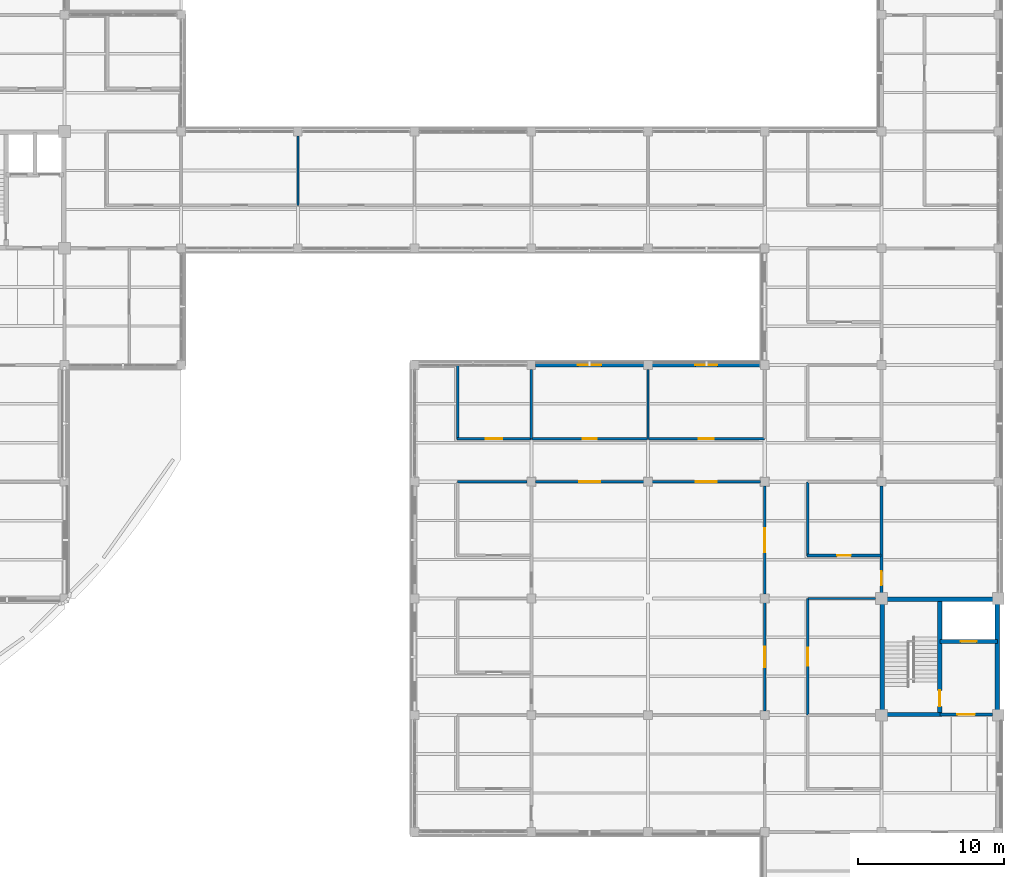
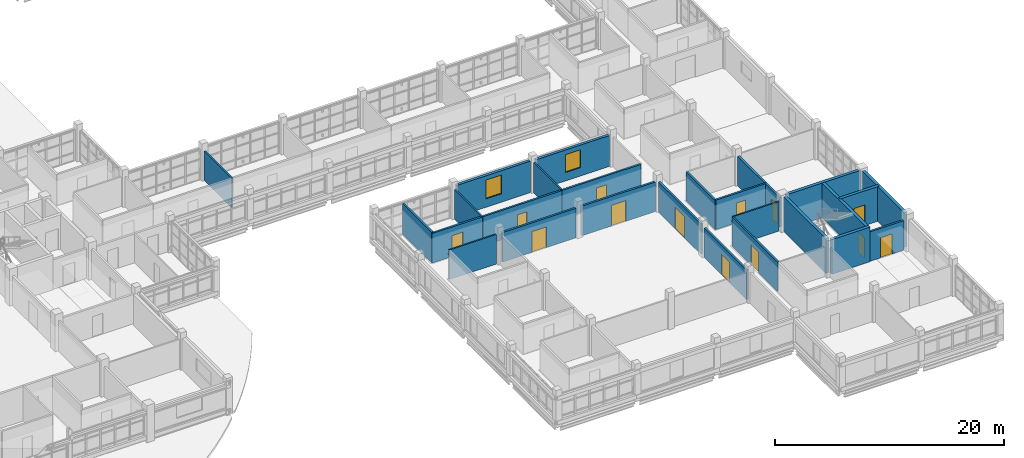
# One storey, part 100 of 126: 26 walls, 13 doors, 2 windows, 15 openings.
"""IFC4 building model written with IfcOpenShell, lengths in metres."""

from ifc_helpers import new_model, si_unit, derived_unit, direction, frame, frame_2d, origin, place, context, subcontext, project, spatial, rectangle, extrude, material, layer, layer_set, type_object, element, fill, save


model = new_model("IFC4")

# Units and contexts
model_context = context("Model", 3, precision=1e-05, world=origin(), true_north=direction((0.0, 1.0)))
body_context = subcontext(model_context, "Body", "Model", "MODEL_VIEW")
ifc_project = project(units=[si_unit("LENGTHUNIT", "METRE"), si_unit("AREAUNIT", "SQUARE_METRE"), si_unit("VOLUMEUNIT", "CUBIC_METRE"), si_unit("PLANEANGLEUNIT", "RADIAN"), si_unit("MASSUNIT", "GRAM", prefix="KILO"), derived_unit("THERMALTRANSMITTANCEUNIT", [(si_unit("MASSUNIT", "GRAM", prefix="KILO"), 1), (si_unit("TIMEUNIT", "SECOND"), -3), (si_unit("THERMODYNAMICTEMPERATUREUNIT", "KELVIN"), -1)])], contexts=[model_context])

# Site, building, storey
site_placement = place(None, origin())
site = spatial("IfcSite", under=ifc_project, at=site_placement, CompositionType="ELEMENT")
building_placement = place(site_placement, origin())
building = spatial("IfcBuilding", under=site, at=building_placement, Name="Veyamyaing Civic Hall", CompositionType="ELEMENT")
storey_placement = place(building_placement, frame((0.0, 0.0, 9.89990234375)))
storey = spatial("IfcBuildingStorey", under=building, at=storey_placement, Name="L02", CompositionType="ELEMENT", Elevation=9.89990234375)

# Walls
ifc_material_1 = material(Name="Concrete C40/50", Category="concrete")
ifc_layer_1 = layer(ifc_material_1, 0.300048828125, Name="Concrete C40/50")
ifc_layer_set_1 = layer_set([ifc_layer_1], Name="Concrete C40/50")
wall_type_1 = type_object("IfcWallType", Name="WT-05", PredefinedType="SHEAR", material=ifc_layer_set_1)
for number, where, z_axis, x_axis, name in (
    (1, (168.050048828125, 16.2900390625, 0.0), (0.0, 0.0, 1.0), (0.0, 1.0, 0.0), "Core shear wall WT-05 CORE-8 L02.W"),
    (2, (168.2900390625, 23.949951171875, 0.0), (0.0, 0.0, 1.0), (1.0, 0.0, 0.0), "Core shear wall WT-05 CORE-8 L02.N"),
    (3, (175.949951171875, 16.2900390625, 0.0), (0.0, 0.0, 1.0), (0.0, 1.0, 0.0), "Core shear wall WT-05 CORE-8 L02.E"),
):
    element("IfcWall", number, at=place(storey_placement, frame(where, z_axis=z_axis, x_axis=x_axis)), inside=storey, type_object=wall_type_1, Name=name, PredefinedType="SHEAR", context=body_context, shape_type="SweptSolid", body=[
        extrude(rectangle(XDim=7.419921875, YDim=0.300048828125, at=frame_2d((3.7099609375, 0.0))), origin(), (0.0, 0.0, 1.0), 3.705078125),
    ])
wall_1_placement = place(storey_placement, frame((168.2900390625, 16.050048828125, 0.0), z_axis=(0.0, 0.0, 1.0), x_axis=(1.0, 0.0, 0.0)))
element("IfcWall", 4, at=wall_1_placement, inside=storey, type_object=wall_type_1, Name="Core shear wall WT-05 CORE-8 L02.SS", PredefinedType="SHEAR", context=body_context, shape_type="SweptSolid", body=[
    extrude(rectangle(XDim=3.85986328125, YDim=0.300048828125, at=frame_2d((1.929931640625, 0.0))), origin(), (0.0, 0.0, 1.0), 3.705078125),
])

# Wall, opening, door
wall_2_placement = place(storey_placement, frame((172.0, 16.050048828125, 0.0), z_axis=(0.0, 0.0, 1.0), x_axis=(0.0, 1.0, 0.0)))
wall_2 = element("IfcWall", 5, at=wall_2_placement, inside=storey, type_object=wall_type_1, Name="Core shear wall WT-05 CORE-8 L02.MID", PredefinedType="SHEAR", context=body_context, shape_type="SweptSolid", body=[
    extrude(rectangle(XDim=7.89990234375, YDim=0.300048828125, at=frame_2d((3.949951171875, 0.0))), origin(), (0.0, 0.0, 1.0), 3.705078125),
])
opening_1_placement = place(wall_2_placement, frame((0.550048828125, 0.0, 0.0)))
opening_1 = element("IfcOpeningElement", 6, at=opening_1_placement, cuts=wall_2, Name="Opening D-03", PredefinedType="OPENING", context=body_context, shape_type="SweptSolid", body=[
    extrude(rectangle(XDim=1.10009765625, YDim=2.14990234375, at=frame_2d((0.550048828125, 1.074951171875))), frame((0.0, 0.159912109375, 0.0), z_axis=(0.0, -1.0, 0.0), x_axis=(1.0, 0.0, 0.0)), (0.0, 0.0, 1.0), 0.320068359375),
])
ifc_material_2 = material(Name="Galvanized steel S355J2", Category="steel")
door_type_1 = type_object("IfcDoorType", Name="D-03", OperationType="NOTDEFINED", PredefinedType="DOOR", material=ifc_material_2)
door_1_placement = place(opening_1_placement, origin())
door_1 = element("IfcDoor", 7, at=door_1_placement, inside=storey, type_object=door_type_1, Name="Exit stair fire door D-03 ST-10 L02", OperationType="SINGLE_SWING_LEFT", OverallHeight=2.14990234375, OverallWidth=1.10009765625, PredefinedType="DOOR", context=body_context, shape_type="SweptSolid", body=[
    extrude(rectangle(XDim=1.10009765625, YDim=2.14990234375, at=frame_2d((0.550048828125, 1.074951171875))), frame((0.0, 0.02490234375, 0.0), z_axis=(0.0, -1.0, 0.0), x_axis=(1.0, 0.0, 0.0)), (0.0, 0.0, 1.0), 0.050048828125),
])
fill(opening_1, door_1)

wall_3_placement = place(storey_placement, frame((172.0, 21.050048828125, 0.0), z_axis=(0.0, 0.0, 1.0), x_axis=(1.0, 0.0, 0.0)))
wall_3 = element("IfcWall", 8, at=wall_3_placement, inside=storey, type_object=wall_type_1, Name="Core shear wall WT-05 CORE-8 L02.LFT", PredefinedType="SHEAR", context=body_context, shape_type="SweptSolid", body=[
    extrude(rectangle(XDim=3.949951171875, YDim=0.300048828125, at=frame_2d((1.97509765625, 0.0))), origin(), (0.0, 0.0, 1.0), 3.705078125),
])
opening_2_placement = place(wall_3_placement, frame((1.425048828125, 0.0, 0.0)))
opening_2 = element("IfcOpeningElement", 9, at=opening_2_placement, cuts=wall_3, Name="Opening LD-01", PredefinedType="OPENING", context=body_context, shape_type="SweptSolid", body=[
    extrude(rectangle(XDim=1.10009765625, YDim=2.199951171875, at=frame_2d((0.550048828125, 1.10009765625))), frame((0.0, 0.159912109375, 0.0), z_axis=(0.0, -1.0, 0.0), x_axis=(1.0, 0.0, 0.0)), (0.0, 0.0, 1.0), 0.320068359375),
])
ifc_material_3 = material(Name="Anodised aluminium 6063-T6", Category="aluminium")
door_type_2 = type_object("IfcDoorType", Name="LD-01", OperationType="SLIDING_TO_LEFT", PredefinedType="DOOR", material=ifc_material_3)
door_2_placement = place(opening_2_placement, origin())
door_2 = element("IfcDoor", 10, at=door_2_placement, inside=storey, type_object=door_type_2, Name="Lift sliding landing door LD-01 PL-06 L02", OperationType="SLIDING_TO_LEFT", OverallHeight=2.199951171875, OverallWidth=1.10009765625, PredefinedType="DOOR", context=body_context, shape_type="SweptSolid", body=[
    extrude(rectangle(XDim=1.10009765625, YDim=2.199951171875, at=frame_2d((0.550048828125, 1.10009765625))), frame((0.0, 0.02490234375, 0.0), z_axis=(0.0, -1.0, 0.0), x_axis=(1.0, 0.0, 0.0)), (0.0, 0.0, 1.0), 0.050048828125),
])
fill(opening_2, door_2)

ifc_layer_2 = layer(ifc_material_1, 0.199951171875, Name="Concrete C40/50")
ifc_layer_set_2 = layer_set([ifc_layer_2], Name="Concrete C40/50")
wall_type_2 = type_object("IfcWallType", Name="WT-06", PredefinedType="PARTITIONING", material=ifc_layer_set_2)
wall_4_placement = place(storey_placement, frame((172.0, 16.050048828125, 0.0), z_axis=(0.0, 0.0, 1.0), x_axis=(1.0, 0.0, 0.0)))
wall_4 = element("IfcWall", 11, at=wall_4_placement, inside=storey, type_object=wall_type_2, Name="Firefighting lift lobby wall WT-06 CORE-8 L02", PredefinedType="PARTITIONING", context=body_context, shape_type="SweptSolid", body=[
    extrude(rectangle(XDim=3.610107421875, YDim=0.199951171875, at=frame_2d((1.80517578125, 0.0))), origin(), (0.0, 0.0, 1.0), 3.151123046875),
])
opening_3_placement = place(wall_4_placement, frame((1.205078125, 0.0, 0.0)))
opening_3 = element("IfcOpeningElement", 12, at=opening_3_placement, cuts=wall_4, Name="Opening D-04", PredefinedType="OPENING", context=body_context, shape_type="SweptSolid", body=[
    extrude(rectangle(XDim=1.199951171875, YDim=2.14990234375, at=frame_2d((0.60009765625, 1.074951171875))), frame((0.0, 0.10986328125, 0.0), z_axis=(0.0, -1.0, 0.0), x_axis=(1.0, 0.0, 0.0)), (0.0, 0.0, 1.0), 0.219970703125),
])
door_type_3 = type_object("IfcDoorType", Name="D-04", OperationType="NOTDEFINED", PredefinedType="DOOR", material=ifc_material_2)
door_3_placement = place(opening_3_placement, frame((1.199951171875, 0.0, 0.0), z_axis=(0.0, 0.0, 1.0), x_axis=(-1.0, 0.0, 0.0)))
door_3 = element("IfcDoor", 13, at=door_3_placement, inside=storey, type_object=door_type_3, Name="Protected lobby fire door D-04 CORE-8 L02", OperationType="SINGLE_SWING_RIGHT", OverallHeight=2.14990234375, OverallWidth=1.199951171875, PredefinedType="DOOR", context=body_context, shape_type="SweptSolid", body=[
    extrude(rectangle(XDim=1.199951171875, YDim=2.14990234375, at=frame_2d((0.60009765625, 1.074951171875))), frame((0.0, 0.02490234375, 0.0), z_axis=(0.0, -1.0, 0.0), x_axis=(1.0, 0.0, 0.0)), (0.0, 0.0, 1.0), 0.050048828125),
])
fill(opening_3, door_3)

wall_5_placement = place(storey_placement, frame((144.2900390625, 32.0, 0.0), z_axis=(0.0, 0.0, 1.0), x_axis=(1.0, 0.0, 0.0)))
wall_5 = element("IfcWall", 14, at=wall_5_placement, inside=storey, type_object=wall_type_2, Name="Interior partition wall WT-06 L02.50", PredefinedType="PARTITIONING", context=body_context, shape_type="SweptSolid", body=[
    extrude(rectangle(XDim=7.419921875, YDim=0.199951171875, at=frame_2d((3.7099609375, 0.0))), origin(), (0.0, 0.0, 1.0), 3.156005859375),
])
opening_4_placement = place(wall_5_placement, frame((2.985107421875, 0.0, 0.0)))
opening_4 = element("IfcOpeningElement", 15, at=opening_4_placement, cuts=wall_5, Name="Opening D-28", PredefinedType="OPENING", context=body_context, shape_type="SweptSolid", body=[
    extrude(rectangle(XDim=1.449951171875, YDim=2.219970703125, at=frame_2d((0.72509765625, 1.10986328125))), frame((0.0, 0.10986328125, 0.0), z_axis=(0.0, -1.0, 0.0), x_axis=(1.0, 0.0, 0.0)), (0.0, 0.0, 1.0), 0.219970703125),
])
ifc_material_4 = material(Name="Teak-veneered acoustic timber", Category="wood")
door_type_4 = type_object("IfcDoorType", Name="D-28", OperationType="DOUBLE_DOOR_SINGLE_SWING", PredefinedType="DOOR", material=ifc_material_4)
door_4_placement = place(opening_4_placement, frame((1.449951171875, 0.0, 0.0), z_axis=(0.0, 0.0, 1.0), x_axis=(-1.0, 0.0, 0.0)))
door_4 = element("IfcDoor", 16, at=door_4_placement, inside=storey, type_object=door_type_4, Name="Interior door D-28 L02.50", OperationType="DOUBLE_DOOR_SINGLE_SWING", OverallHeight=2.219970703125, OverallWidth=1.449951171875, PredefinedType="DOOR", context=body_context, shape_type="SweptSolid", body=[
    extrude(rectangle(XDim=1.449951171875, YDim=2.219970703125, at=frame_2d((0.72509765625, 1.10986328125))), frame((0.0, 0.02490234375, 0.0), z_axis=(0.0, -1.0, 0.0), x_axis=(1.0, 0.0, 0.0)), (0.0, 0.0, 1.0), 0.050048828125),
])
fill(opening_4, door_4)

wall_6_placement = place(storey_placement, frame((160.0, 16.2900390625, 0.0), z_axis=(0.0, 0.0, 1.0), x_axis=(0.0, 1.0, 0.0)))
wall_6 = element("IfcWall", 17, at=wall_6_placement, inside=storey, type_object=wall_type_2, Name="Interior partition wall WT-06 L02.54", PredefinedType="PARTITIONING", context=body_context, shape_type="SweptSolid", body=[
    extrude(rectangle(XDim=7.419921875, YDim=0.199951171875, at=frame_2d((3.7099609375, 0.0))), origin(), (0.0, 0.0, 1.0), 3.151123046875),
])
opening_5_placement = place(wall_6_placement, frame((3.010009765625, 0.0, 0.0)))
opening_5 = element("IfcOpeningElement", 18, at=opening_5_placement, cuts=wall_6, Name="Opening D-11", PredefinedType="OPENING", context=body_context, shape_type="SweptSolid", body=[
    extrude(rectangle(XDim=1.39990234375, YDim=2.199951171875, at=frame_2d((0.699951171875, 1.10009765625))), frame((0.0, 0.10986328125, 0.0), z_axis=(0.0, -1.0, 0.0), x_axis=(1.0, 0.0, 0.0)), (0.0, 0.0, 1.0), 0.219970703125),
])
door_type_5 = type_object("IfcDoorType", Name="D-11", OperationType="DOUBLE_DOOR_SINGLE_SWING", PredefinedType="DOOR", material=ifc_material_3)
door_5_placement = place(opening_5_placement, origin())
door_5 = element("IfcDoor", 19, at=door_5_placement, inside=storey, type_object=door_type_5, Name="Interior door D-11 L02.54", OperationType="DOUBLE_DOOR_SINGLE_SWING", OverallHeight=2.199951171875, OverallWidth=1.39990234375, PredefinedType="DOOR", context=body_context, shape_type="SweptSolid", body=[
    extrude(rectangle(XDim=1.39990234375, YDim=2.199951171875, at=frame_2d((0.699951171875, 1.10009765625))), frame((0.0, 0.02490234375, 0.0), z_axis=(0.0, -1.0, 0.0), x_axis=(1.0, 0.0, 0.0)), (0.0, 0.0, 1.0), 0.050048828125),
])
fill(opening_5, door_5)

wall_7_placement = place(storey_placement, frame((160.0, 24.2900390625, 0.0), z_axis=(0.0, 0.0, 1.0), x_axis=(0.0, 1.0, 0.0)))
wall_7 = element("IfcWall", 20, at=wall_7_placement, inside=storey, type_object=wall_type_2, Name="Interior partition wall WT-06 L02.55", PredefinedType="PARTITIONING", context=body_context, shape_type="SweptSolid", body=[
    extrude(rectangle(XDim=7.419921875, YDim=0.199951171875, at=frame_2d((3.7099609375, 0.0))), origin(), (0.0, 0.0, 1.0), 3.22119140625),
])
opening_6_placement = place(wall_7_placement, frame((2.885009765625, 0.0, 0.0)))
opening_6 = element("IfcOpeningElement", 21, at=opening_6_placement, cuts=wall_7, Name="Opening D-27", PredefinedType="OPENING", context=body_context, shape_type="SweptSolid", body=[
    extrude(rectangle(XDim=1.64990234375, YDim=2.280029296875, at=frame_2d((0.824951171875, 1.14013671875))), frame((0.0, 0.10986328125, 0.0), z_axis=(0.0, -1.0, 0.0), x_axis=(1.0, 0.0, 0.0)), (0.0, 0.0, 1.0), 0.219970703125),
])
door_type_6 = type_object("IfcDoorType", Name="D-27", OperationType="DOUBLE_DOOR_SINGLE_SWING", PredefinedType="DOOR", material=ifc_material_4)
door_6_placement = place(opening_6_placement, origin())
door_6 = element("IfcDoor", 22, at=door_6_placement, inside=storey, type_object=door_type_6, Name="Interior door D-27 L02.55", OperationType="DOUBLE_DOOR_SINGLE_SWING", OverallHeight=2.280029296875, OverallWidth=1.64990234375, PredefinedType="DOOR", context=body_context, shape_type="SweptSolid", body=[
    extrude(rectangle(XDim=1.64990234375, YDim=2.280029296875, at=frame_2d((0.824951171875, 1.14013671875))), frame((0.0, 0.02490234375, 0.0), z_axis=(0.0, -1.0, 0.0), x_axis=(1.0, 0.0, 0.0)), (0.0, 0.0, 1.0), 0.050048828125),
])
fill(opening_6, door_6)

wall_8_placement = place(storey_placement, frame((152.2900390625, 32.0, 0.0), z_axis=(0.0, 0.0, 1.0), x_axis=(1.0, 0.0, 0.0)))
wall_8 = element("IfcWall", 23, at=wall_8_placement, inside=storey, type_object=wall_type_2, Name="Interior partition wall WT-06 L02.56", PredefinedType="PARTITIONING", context=body_context, shape_type="SweptSolid", body=[
    extrude(rectangle(XDim=7.419921875, YDim=0.199951171875, at=frame_2d((3.7099609375, 0.0))), origin(), (0.0, 0.0, 1.0), 3.166015625),
])
opening_7_placement = place(wall_8_placement, frame((2.985107421875, 0.0, 0.0)))
opening_7 = element("IfcOpeningElement", 24, at=opening_7_placement, cuts=wall_8, Name="Opening D-28", PredefinedType="OPENING", context=body_context, shape_type="SweptSolid", body=[
    extrude(rectangle(XDim=1.449951171875, YDim=2.219970703125, at=frame_2d((0.72509765625, 1.10986328125))), frame((0.0, 0.10986328125, 0.0), z_axis=(0.0, -1.0, 0.0), x_axis=(1.0, 0.0, 0.0)), (0.0, 0.0, 1.0), 0.219970703125),
])
door_7_placement = place(opening_7_placement, frame((1.449951171875, 0.0, 0.0), z_axis=(0.0, 0.0, 1.0), x_axis=(-1.0, 0.0, 0.0)))
door_7 = element("IfcDoor", 25, at=door_7_placement, inside=storey, type_object=door_type_4, Name="Interior door D-28 L02.56", OperationType="DOUBLE_DOOR_SINGLE_SWING", OverallHeight=2.219970703125, OverallWidth=1.449951171875, PredefinedType="DOOR", context=body_context, shape_type="SweptSolid", body=[
    extrude(rectangle(XDim=1.449951171875, YDim=2.219970703125, at=frame_2d((0.72509765625, 1.10986328125))), frame((0.0, 0.02490234375, 0.0), z_axis=(0.0, -1.0, 0.0), x_axis=(1.0, 0.0, 0.0)), (0.0, 0.0, 1.0), 0.050048828125),
])
fill(opening_7, door_7)

wall_9_placement = place(storey_placement, frame((168.0, 24.389892578125, 0.0), z_axis=(0.0, 0.0, 1.0), x_axis=(0.0, 1.0, 0.0)))
wall_9 = element("IfcWall", 26, at=wall_9_placement, inside=storey, type_object=wall_type_2, Name="Interior partition wall WT-06 L02.61", PredefinedType="PARTITIONING", context=body_context, shape_type="SweptSolid", body=[
    extrude(rectangle(XDim=7.320068359375, YDim=0.199951171875, at=frame_2d((3.66015625, 0.0))), origin(), (0.0, 0.0, 1.0), 3.156982421875),
])
opening_8_placement = place(wall_9_placement, frame((0.52001953125, 0.0, 0.0)))
opening_8 = element("IfcOpeningElement", 27, at=opening_8_placement, cuts=wall_9, Name="Opening D-30", PredefinedType="OPENING", context=body_context, shape_type="SweptSolid", body=[
    extrude(rectangle(XDim=0.93994140625, YDim=2.1201171875, at=frame_2d((0.469970703125, 1.06005859375))), frame((0.0, 0.10986328125, 0.0), z_axis=(0.0, -1.0, 0.0), x_axis=(1.0, 0.0, 0.0)), (0.0, 0.0, 1.0), 0.219970703125),
])
door_type_7 = type_object("IfcDoorType", Name="D-30", OperationType="NOTDEFINED", PredefinedType="DOOR", material=ifc_material_4)
door_8_placement = place(opening_8_placement, frame((0.93994140625, 0.0, 0.0), z_axis=(0.0, 0.0, 1.0), x_axis=(-1.0, 0.0, 0.0)))
door_8 = element("IfcDoor", 28, at=door_8_placement, inside=storey, type_object=door_type_7, Name="Interior door D-30 L02.61", OperationType="SINGLE_SWING_RIGHT", OverallHeight=2.1201171875, OverallWidth=0.93994140625, PredefinedType="DOOR", context=body_context, shape_type="SweptSolid", body=[
    extrude(rectangle(XDim=0.93994140625, YDim=2.1201171875, at=frame_2d((0.469970703125, 1.06005859375))), frame((0.0, 0.02490234375, 0.0), z_axis=(0.0, -1.0, 0.0), x_axis=(1.0, 0.0, 0.0)), (0.0, 0.0, 1.0), 0.050048828125),
])
fill(opening_8, door_8)

ifc_material_5 = material(Name="Gypsum board on acoustic steel stud", Category="steel")
ifc_layer_3 = layer(ifc_material_5, 0.175048828125, Name="Gypsum board on acoustic steel stud")
ifc_layer_set_3 = layer_set([ifc_layer_3], Name="Gypsum board on acoustic steel stud")
wall_type_3 = type_object("IfcWallType", Name="WT-07", PredefinedType="PARTITIONING", material=ifc_layer_set_3)
wall_10_placement = place(storey_placement, frame((162.949951171875, 16.02001953125, 0.0), z_axis=(0.0, 0.0, 1.0), x_axis=(0.0, 1.0, 0.0)))
wall_10 = element("IfcWall", 29, at=wall_10_placement, inside=storey, type_object=wall_type_3, Name="Corridor gallery partition WT-07 L02.65.1", PredefinedType="PARTITIONING", context=body_context, shape_type="SweptSolid", body=[
    extrude(rectangle(XDim=7.9599609375, YDim=0.175048828125, at=frame_2d((3.97998046875, 0.0))), origin(), (0.0, 0.0, 1.0), 3.14111328125),
])
opening_9_placement = place(wall_10_placement, frame((3.35498046875, 0.0, 0.0)))
opening_9 = element("IfcOpeningElement", 30, at=opening_9_placement, cuts=wall_10, Name="Opening D-29", PredefinedType="OPENING", context=body_context, shape_type="SweptSolid", body=[
    extrude(rectangle(XDim=1.25, YDim=2.179931640625, at=frame_2d((0.625, 1.08984375))), frame((0.0, 0.097412109375, 0.0), z_axis=(0.0, -1.0, 0.0), x_axis=(1.0, 0.0, 0.0)), (0.0, 0.0, 1.0), 0.195068359375),
])
door_type_8 = type_object("IfcDoorType", Name="D-29", OperationType="NOTDEFINED", PredefinedType="DOOR", material=ifc_material_4)
door_9_placement = place(opening_9_placement, frame((1.25, 0.0, 0.0), z_axis=(0.0, 0.0, 1.0), x_axis=(-1.0, 0.0, 0.0)))
door_9 = element("IfcDoor", 31, at=door_9_placement, inside=storey, type_object=door_type_8, Name="Gallery office door D-29 L02.65", OperationType="SINGLE_SWING_LEFT", OverallHeight=2.179931640625, OverallWidth=1.25, PredefinedType="DOOR", context=body_context, shape_type="SweptSolid", body=[
    extrude(rectangle(XDim=1.25, YDim=2.179931640625, at=frame_2d((0.625, 1.08984375))), frame((0.0, 0.02490234375, 0.0), z_axis=(0.0, -1.0, 0.0), x_axis=(1.0, 0.0, 0.0)), (0.0, 0.0, 1.0), 0.050048828125),
])
fill(opening_9, door_9)

# Walls
ifc_material_6 = material(Name="Gypsum board on steel stud", Category="steel")
ifc_layer_4 = layer(ifc_material_6, 0.14990234375, Name="Gypsum board on steel stud")
ifc_layer_set_4 = layer_set([ifc_layer_4], Name="Gypsum board on steel stud")
wall_type_4 = type_object("IfcWallType", Name="WT-08", PredefinedType="PARTITIONING", material=ifc_layer_set_4)
wall_11_placement = place(storey_placement, frame((128.0, 50.949951171875, 0.0), z_axis=(0.0, 0.0, 1.0), x_axis=(0.0, 1.0, 0.0)))
element("IfcWall", 32, at=wall_11_placement, inside=storey, type_object=wall_type_4, Name="Gallery office end partition WT-08 L02.47.2", PredefinedType="PARTITIONING", context=body_context, shape_type="SweptSolid", body=[
    extrude(rectangle(XDim=4.739990234375, YDim=0.14990234375, at=frame_2d((2.3701171875, 0.0))), origin(), (0.0, 0.0, 1.0), 3.151123046875),
])
wall_12_placement = place(storey_placement, frame((138.949951171875, 32.0, 0.0), z_axis=(0.0, 0.0, 1.0), x_axis=(1.0, 0.0, 0.0)))
element("IfcWall", 33, at=wall_12_placement, inside=storey, type_object=wall_type_4, Name="Gallery office end partition WT-08 L02.53.1", PredefinedType="PARTITIONING", context=body_context, shape_type="SweptSolid", body=[
    extrude(rectangle(XDim=4.739990234375, YDim=0.14990234375, at=frame_2d((2.3701171875, 0.0))), origin(), (0.0, 0.0, 1.0), 3.156982421875),
])
wall_13_placement = place(storey_placement, frame((144.0, 34.949951171875, 0.0), z_axis=(0.0, 0.0, 1.0), x_axis=(0.0, 1.0, 0.0)))
element("IfcWall", 34, at=wall_13_placement, inside=storey, type_object=wall_type_4, Name="Gallery office end partition WT-08 L02.54.2", PredefinedType="PARTITIONING", context=body_context, shape_type="SweptSolid", body=[
    extrude(rectangle(XDim=4.739990234375, YDim=0.14990234375, at=frame_2d((2.3701171875, 0.0))), origin(), (0.0, 0.0, 1.0), 3.151123046875),
])
wall_14_placement = place(storey_placement, frame((152.0, 34.949951171875, 0.0), z_axis=(0.0, 0.0, 1.0), x_axis=(0.0, 1.0, 0.0)))
element("IfcWall", 35, at=wall_14_placement, inside=storey, type_object=wall_type_4, Name="Gallery office end partition WT-08 L02.56.2", PredefinedType="PARTITIONING", context=body_context, shape_type="SweptSolid", body=[
    extrude(rectangle(XDim=4.739990234375, YDim=0.14990234375, at=frame_2d((2.3701171875, 0.0))), origin(), (0.0, 0.0, 1.0), 3.236083984375),
])
wall_15_placement = place(storey_placement, frame((162.949951171875, 24.0, 0.0), z_axis=(0.0, 0.0, 1.0), x_axis=(1.0, 0.0, 0.0)))
element("IfcWall", 36, at=wall_15_placement, inside=storey, type_object=wall_type_4, Name="Gallery office end partition WT-08 L02.65.2", PredefinedType="PARTITIONING", context=body_context, shape_type="SweptSolid", body=[
    extrude(rectangle(XDim=4.64013671875, YDim=0.14990234375, at=frame_2d((2.320068359375, 0.0))), origin(), (0.0, 0.0, 1.0), 3.151123046875),
])

# Wall, opening, window
ifc_material_7 = material(Name="Precast concrete C40/50", Category="concrete")
ifc_layer_5 = layer(ifc_material_7, 0.27001953125, Name="Precast concrete C40/50")
ifc_layer_set_5 = layer_set([ifc_layer_5], Name="Precast concrete C40/50")
wall_type_5 = type_object("IfcWallType", Name="WT-18", PredefinedType="SOLIDWALL", material=ifc_layer_set_5)
wall_16_placement = place(storey_placement, frame((144.284912109375, 40.0, 0.0), z_axis=(0.0, 0.0, 1.0), x_axis=(1.0, 0.0, 0.0)))
wall_16 = element("IfcWall", 37, at=wall_16_placement, inside=storey, type_object=wall_type_5, Name="Exterior facade wall WT-18 L02 N 19.5", PredefinedType="SOLIDWALL", context=body_context, shape_type="SweptSolid", body=[
    extrude(rectangle(XDim=7.43017578125, YDim=0.27001953125, at=frame_2d((3.715087890625, 0.0))), origin(), (0.0, 0.0, 1.0), 3.359130859375),
])
opening_10_placement = place(wall_16_placement, frame((2.9150390625, 0.0, 0.89990234375)))
opening_10 = element("IfcOpeningElement", 38, at=opening_10_placement, cuts=wall_16, Name="Opening W-11", PredefinedType="OPENING", context=body_context, shape_type="SweptSolid", body=[
    extrude(rectangle(XDim=1.60009765625, YDim=2.0, at=frame_2d((0.800048828125, 1.0))), frame((0.0, 0.14501953125, 0.0), z_axis=(0.0, -1.0, 0.0), x_axis=(1.0, 0.0, 0.0)), (0.0, 0.0, 1.0), 0.2900390625),
])
ifc_material_8 = material(Name="Low-E insulated glass", Category="glass")
window_type_1 = type_object("IfcWindowType", Name="W-11", PartitioningType="SINGLE_PANEL", PredefinedType="WINDOW", material=ifc_material_8)
window_1_placement = place(opening_10_placement, origin())
window_1 = element("IfcWindow", 39, at=window_1_placement, inside=storey, type_object=window_type_1, Name="Facade window W-11 L02 N 19.5", OverallHeight=2.0, OverallWidth=1.60009765625, PartitioningType="SINGLE_PANEL", PredefinedType="WINDOW", context=body_context, shape_type="SweptSolid", body=[
    extrude(rectangle(XDim=1.60009765625, YDim=2.0, at=frame_2d((0.800048828125, 1.0))), frame((0.0, 0.030029296875, 0.0), z_axis=(0.0, -1.0, 0.0), x_axis=(1.0, 0.0, 0.0)), (0.0, 0.0, 1.0), 0.06005859375),
])
fill(opening_10, window_1)

wall_17_placement = place(storey_placement, frame((152.284912109375, 40.0, 0.0), z_axis=(0.0, 0.0, 1.0), x_axis=(1.0, 0.0, 0.0)))
wall_17 = element("IfcWall", 40, at=wall_17_placement, inside=storey, type_object=wall_type_5, Name="Exterior facade wall WT-18 L02 N 20.5", PredefinedType="SOLIDWALL", context=body_context, shape_type="SweptSolid", body=[
    extrude(rectangle(XDim=7.43017578125, YDim=0.27001953125, at=frame_2d((3.715087890625, 0.0))), origin(), (0.0, 0.0, 1.0), 3.299072265625),
])
opening_11_placement = place(wall_17_placement, frame((2.965087890625, 0.0, 0.89990234375)))
opening_11 = element("IfcOpeningElement", 41, at=opening_11_placement, cuts=wall_17, Name="Opening W-12", PredefinedType="OPENING", context=body_context, shape_type="SweptSolid", body=[
    extrude(rectangle(XDim=1.5, YDim=1.89990234375, at=frame_2d((0.75, 0.949951171875))), frame((0.0, 0.14501953125, 0.0), z_axis=(0.0, -1.0, 0.0), x_axis=(1.0, 0.0, 0.0)), (0.0, 0.0, 1.0), 0.2900390625),
])
window_type_2 = type_object("IfcWindowType", Name="W-12", PartitioningType="SINGLE_PANEL", PredefinedType="WINDOW", material=ifc_material_8)
window_2_placement = place(opening_11_placement, origin())
window_2 = element("IfcWindow", 42, at=window_2_placement, inside=storey, type_object=window_type_2, Name="Facade window W-12 L02 N 20.5", OverallHeight=1.89990234375, OverallWidth=1.5, PartitioningType="SINGLE_PANEL", PredefinedType="WINDOW", context=body_context, shape_type="SweptSolid", body=[
    extrude(rectangle(XDim=1.5, YDim=1.89990234375, at=frame_2d((0.75, 0.949951171875))), frame((0.0, 0.030029296875, 0.0), z_axis=(0.0, -1.0, 0.0), x_axis=(1.0, 0.0, 0.0)), (0.0, 0.0, 1.0), 0.06005859375),
])
fill(opening_11, window_2)

# Wall, opening, door
ifc_material_9 = material(Name="Gypsum board on double acoustic stud")
ifc_layer_6 = layer(ifc_material_9, 0.18505859375, Name="Gypsum board on double acoustic stud")
ifc_layer_set_6 = layer_set([ifc_layer_6], Name="Gypsum board on double acoustic stud")
wall_type_6 = type_object("IfcWallType", Name="WT-19", PredefinedType="PARTITIONING", material=ifc_layer_set_6)
wall_18_placement = place(storey_placement, frame((138.89990234375, 34.949951171875, 0.0), z_axis=(0.0, 0.0, 1.0), x_axis=(1.0, 0.0, 0.0)))
wall_18 = element("IfcWall", 43, at=wall_18_placement, inside=storey, type_object=wall_type_6, Name="Corridor gallery partition WT-19 L02.54.1", PredefinedType="PARTITIONING", context=body_context, shape_type="SweptSolid", body=[
    extrude(rectangle(XDim=5.080078125, YDim=0.18505859375, at=frame_2d((2.5400390625, 0.0))), origin(), (0.0, 0.0, 1.0), 3.151123046875),
])
opening_12_placement = place(wall_18_placement, frame((1.97998046875, 0.0, 0.0)))
opening_12 = element("IfcOpeningElement", 44, at=opening_12_placement, cuts=wall_18, Name="Opening D-26", PredefinedType="OPENING", context=body_context, shape_type="SweptSolid", body=[
    extrude(rectangle(XDim=1.1201171875, YDim=2.219970703125, at=frame_2d((0.56005859375, 1.10986328125))), frame((0.0, 0.1025390625, 0.0), z_axis=(0.0, -1.0, 0.0), x_axis=(1.0, 0.0, 0.0)), (0.0, 0.0, 1.0), 0.205078125),
])
door_type_9 = type_object("IfcDoorType", Name="D-26", OperationType="NOTDEFINED", PredefinedType="DOOR", material=ifc_material_4)
door_10_placement = place(opening_12_placement, origin())
door_10 = element("IfcDoor", 45, at=door_10_placement, inside=storey, type_object=door_type_9, Name="Gallery office door D-26 L02.54", OperationType="SINGLE_SWING_RIGHT", OverallHeight=2.219970703125, OverallWidth=1.1201171875, PredefinedType="DOOR", context=body_context, shape_type="SweptSolid", body=[
    extrude(rectangle(XDim=1.1201171875, YDim=2.219970703125, at=frame_2d((0.56005859375, 1.10986328125))), frame((0.0, 0.02490234375, 0.0), z_axis=(0.0, -1.0, 0.0), x_axis=(1.0, 0.0, 0.0)), (0.0, 0.0, 1.0), 0.050048828125),
])
fill(opening_12, door_10)

# Wall
wall_19_placement = place(storey_placement, frame((138.949951171875, 34.89990234375, 0.0), z_axis=(0.0, 0.0, 1.0), x_axis=(0.0, 1.0, 0.0)))
element("IfcWall", 46, at=wall_19_placement, inside=storey, type_object=wall_type_6, Name="Corridor gallery partition WT-19 L02.54.2", PredefinedType="PARTITIONING", context=body_context, shape_type="SweptSolid", body=[
    extrude(rectangle(XDim=5.080078125, YDim=0.18505859375, at=frame_2d((2.5400390625, 0.0))), origin(), (0.0, 0.0, 1.0), 3.273193359375),
])

# Wall, opening, door
wall_20_placement = place(storey_placement, frame((144.02001953125, 34.949951171875, 0.0), z_axis=(0.0, 0.0, 1.0), x_axis=(1.0, 0.0, 0.0)))
wall_20 = element("IfcWall", 47, at=wall_20_placement, inside=storey, type_object=wall_type_6, Name="Corridor gallery partition WT-19 L02.56.1", PredefinedType="PARTITIONING", context=body_context, shape_type="SweptSolid", body=[
    extrude(rectangle(XDim=7.9599609375, YDim=0.18505859375, at=frame_2d((3.97998046875, 0.0))), origin(), (0.0, 0.0, 1.0), 3.151123046875),
])
opening_13_placement = place(wall_20_placement, frame((3.510009765625, 0.0, 0.0)))
opening_13 = element("IfcOpeningElement", 48, at=opening_13_placement, cuts=wall_20, Name="Opening D-30", PredefinedType="OPENING", context=body_context, shape_type="SweptSolid", body=[
    extrude(rectangle(XDim=0.93994140625, YDim=2.1201171875, at=frame_2d((0.469970703125, 1.06005859375))), frame((0.0, 0.1025390625, 0.0), z_axis=(0.0, -1.0, 0.0), x_axis=(1.0, 0.0, 0.0)), (0.0, 0.0, 1.0), 0.205078125),
])
door_11_placement = place(opening_13_placement, origin())
door_11 = element("IfcDoor", 49, at=door_11_placement, inside=storey, type_object=door_type_7, Name="Gallery office door D-30 L02.56", OperationType="SINGLE_SWING_RIGHT", OverallHeight=2.1201171875, OverallWidth=0.93994140625, PredefinedType="DOOR", context=body_context, shape_type="SweptSolid", body=[
    extrude(rectangle(XDim=0.93994140625, YDim=2.1201171875, at=frame_2d((0.469970703125, 1.06005859375))), frame((0.0, 0.02490234375, 0.0), z_axis=(0.0, -1.0, 0.0), x_axis=(1.0, 0.0, 0.0)), (0.0, 0.0, 1.0), 0.050048828125),
])
fill(opening_13, door_11)

wall_21_placement = place(storey_placement, frame((152.02001953125, 34.949951171875, 0.0), z_axis=(0.0, 0.0, 1.0), x_axis=(1.0, 0.0, 0.0)))
wall_21 = element("IfcWall", 50, at=wall_21_placement, inside=storey, type_object=wall_type_6, Name="Corridor gallery partition WT-19 L02.60.1", PredefinedType="PARTITIONING", context=body_context, shape_type="SweptSolid", body=[
    extrude(rectangle(XDim=7.9599609375, YDim=0.18505859375, at=frame_2d((3.97998046875, 0.0))), origin(), (0.0, 0.0, 1.0), 3.156982421875),
])
opening_14_placement = place(wall_21_placement, frame((3.469970703125, 0.0, 0.0)))
opening_14 = element("IfcOpeningElement", 51, at=opening_14_placement, cuts=wall_21, Name="Opening D-19", PredefinedType="OPENING", context=body_context, shape_type="SweptSolid", body=[
    extrude(rectangle(XDim=1.02001953125, YDim=2.199951171875, at=frame_2d((0.510009765625, 1.10009765625))), frame((0.0, 0.1025390625, 0.0), z_axis=(0.0, -1.0, 0.0), x_axis=(1.0, 0.0, 0.0)), (0.0, 0.0, 1.0), 0.205078125),
])
door_type_10 = type_object("IfcDoorType", Name="D-19", OperationType="NOTDEFINED", PredefinedType="DOOR", material=ifc_material_4)
door_12_placement = place(opening_14_placement, origin())
door_12 = element("IfcDoor", 52, at=door_12_placement, inside=storey, type_object=door_type_10, Name="Gallery office door D-19 L02.60", OperationType="SINGLE_SWING_RIGHT", OverallHeight=2.199951171875, OverallWidth=1.02001953125, PredefinedType="DOOR", context=body_context, shape_type="SweptSolid", body=[
    extrude(rectangle(XDim=1.02001953125, YDim=2.199951171875, at=frame_2d((0.510009765625, 1.10009765625))), frame((0.0, 0.02490234375, 0.0), z_axis=(0.0, -1.0, 0.0), x_axis=(1.0, 0.0, 0.0)), (0.0, 0.0, 1.0), 0.050048828125),
])
fill(opening_14, door_12)

wall_22_placement = place(storey_placement, frame((162.89990234375, 26.949951171875, 0.0), z_axis=(0.0, 0.0, 1.0), x_axis=(1.0, 0.0, 0.0)))
wall_22 = element("IfcWall", 53, at=wall_22_placement, inside=storey, type_object=wall_type_6, Name="Corridor gallery partition WT-19 L02.66.1", PredefinedType="PARTITIONING", context=body_context, shape_type="SweptSolid", body=[
    extrude(rectangle(XDim=5.080078125, YDim=0.18505859375, at=frame_2d((2.5400390625, 0.0))), origin(), (0.0, 0.0, 1.0), 3.156982421875),
])
opening_15_placement = place(wall_22_placement, frame((2.070068359375, 0.0, 0.0)))
opening_15 = element("IfcOpeningElement", 54, at=opening_15_placement, cuts=wall_22, Name="Opening D-30", PredefinedType="OPENING", context=body_context, shape_type="SweptSolid", body=[
    extrude(rectangle(XDim=0.93994140625, YDim=2.1201171875, at=frame_2d((0.469970703125, 1.06005859375))), frame((0.0, 0.1025390625, 0.0), z_axis=(0.0, -1.0, 0.0), x_axis=(1.0, 0.0, 0.0)), (0.0, 0.0, 1.0), 0.205078125),
])
door_13_placement = place(opening_15_placement, origin())
door_13 = element("IfcDoor", 55, at=door_13_placement, inside=storey, type_object=door_type_7, Name="Gallery office door D-30 L02.66", OperationType="SINGLE_SWING_RIGHT", OverallHeight=2.1201171875, OverallWidth=0.93994140625, PredefinedType="DOOR", context=body_context, shape_type="SweptSolid", body=[
    extrude(rectangle(XDim=0.93994140625, YDim=2.1201171875, at=frame_2d((0.469970703125, 1.06005859375))), frame((0.0, 0.02490234375, 0.0), z_axis=(0.0, -1.0, 0.0), x_axis=(1.0, 0.0, 0.0)), (0.0, 0.0, 1.0), 0.050048828125),
])
fill(opening_15, door_13)

# Wall
wall_23_placement = place(storey_placement, frame((162.949951171875, 26.89990234375, 0.0), z_axis=(0.0, 0.0, 1.0), x_axis=(0.0, 1.0, 0.0)))
element("IfcWall", 56, at=wall_23_placement, inside=storey, type_object=wall_type_6, Name="Corridor gallery partition WT-19 L02.66.2", PredefinedType="PARTITIONING", context=body_context, shape_type="SweptSolid", body=[
    extrude(rectangle(XDim=5.080078125, YDim=0.18505859375, at=frame_2d((2.5400390625, 0.0))), origin(), (0.0, 0.0, 1.0), 3.08203125),
])

save(model, "model.ifc")
